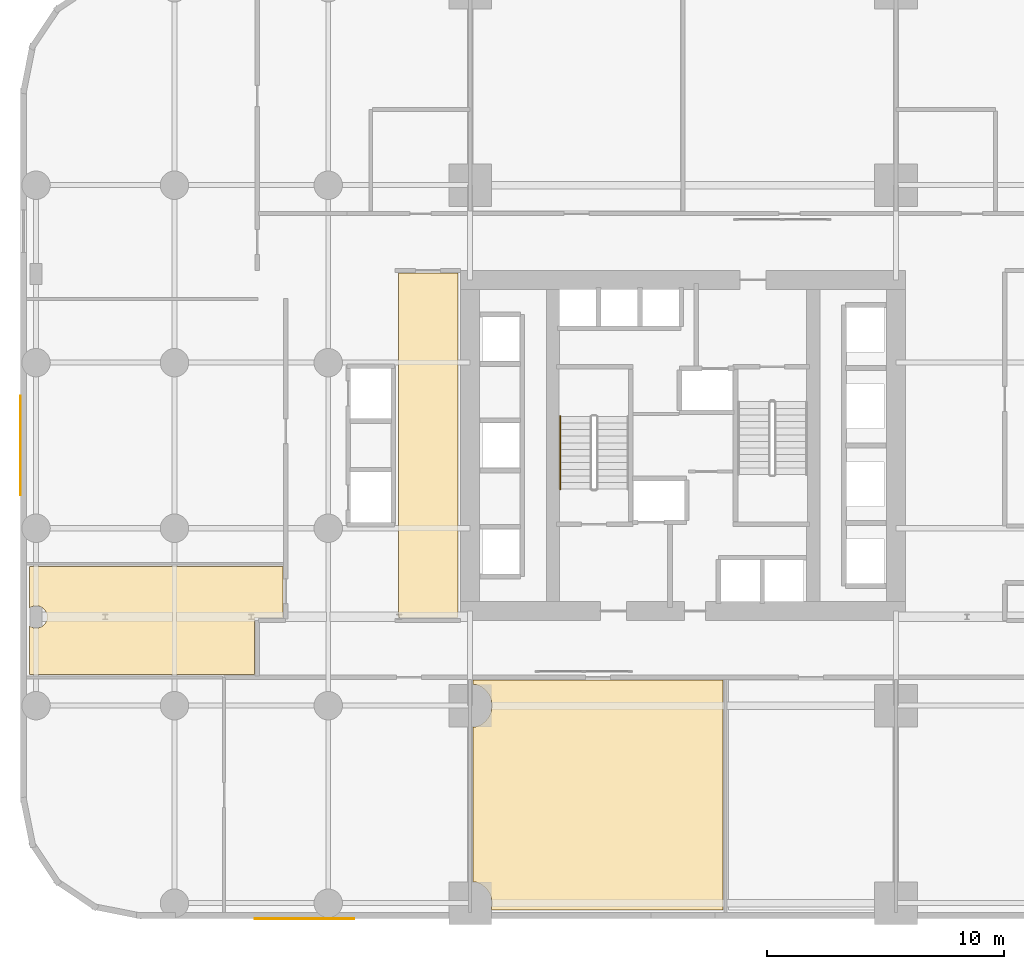
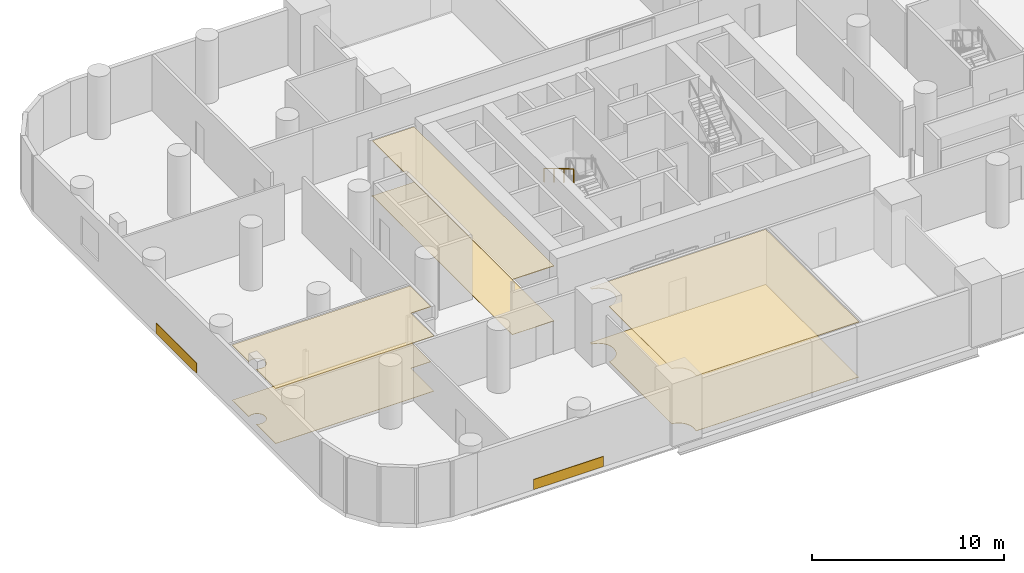
# One storey, part 12 of 15: 8 coverings, 1 railing.
"""IFC4 building model written with IfcOpenShell, lengths in metres."""

from ifc_helpers import new_model, si_unit, direction, frame, origin, origin_2d, place, context, subcontext, project, spatial, polyline, rectangle, outline, extrude, material, layer, layer_set, type_object, element, save


model = new_model("IFC4")

# Units and contexts
model_context = context("Model", 3, precision=1e-05, world=origin(), true_north=direction((0.0, 1.0)))
body_context = subcontext(model_context, "Body", "Model", "MODEL_VIEW")
ifc_project = project(units=[si_unit("LENGTHUNIT", "METRE"), si_unit("AREAUNIT", "SQUARE_METRE"), si_unit("VOLUMEUNIT", "CUBIC_METRE"), si_unit("PLANEANGLEUNIT", "RADIAN"), si_unit("MASSUNIT", "GRAM", prefix="KILO")], contexts=[model_context])

# Site, building, storey
site_placement = place(None, origin())
site = spatial("IfcSite", under=ifc_project, at=site_placement, CompositionType="ELEMENT")
building_placement = place(site_placement, origin())
building = spatial("IfcBuilding", under=site, at=building_placement, Name="Veldorim Arch Residences", CompositionType="ELEMENT")
storey_placement = place(building_placement, frame((0.0, 0.0, 16.0)))
storey = spatial("IfcBuildingStorey", under=building, at=storey_placement, Name="L04", CompositionType="ELEMENT", Elevation=16.0)

# Coverings
ifc_material_1 = material(Name="Acoustic Gypsum & Mineral Fibre", Category="gypsum")
ifc_layer_1 = layer(ifc_material_1, 0.034912109375, Name="Perforated Acoustic Mineral-Fibre Ceiling 35")
ifc_layer_set_1 = layer_set([ifc_layer_1], Name="Acoustic Gypsum & Mineral Fibre")
covering_type_1 = type_object("IfcCoveringType", Name="Perforated Acoustic Mineral-Fibre Ceiling 35", PredefinedType="CEILING", material=ifc_layer_set_1)
covering_1_placement = place(storey_placement, frame((0.0, 0.0, 3.4951171875)))
element("IfcCovering", 1, at=covering_1_placement, inside=storey, type_object=covering_type_1, Name="L04 acoustic suspended ceiling 01", PredefinedType="CEILING", context=body_context, shape_type="SweptSolid", body=[
    extrude(outline(polyline([(13.8798828125, 14.320068359375), (4.3701171875, 14.320068359375), (4.3701171875, 16.37109375), (4.41259765625, 16.338623046875), (4.527099609375, 16.291259765625), (4.64990234375, 16.27490234375), (4.77294921875, 16.291259765625), (4.887451171875, 16.338623046875), (4.98583984375, 16.4140625), (5.061279296875, 16.512451171875), (5.10888671875, 16.627197265625), (5.125, 16.75), (5.10888671875, 16.872802734375), (5.061279296875, 16.987548828125), (4.98583984375, 17.0859375), (4.887451171875, 17.161376953125), (4.77294921875, 17.208740234375), (4.64990234375, 17.22509765625), (4.527099609375, 17.208740234375), (4.41259765625, 17.161376953125), (4.3701171875, 17.12890625), (4.3701171875, 18.8798828125), (15.080078125, 18.8798828125), (15.080078125, 16.719970703125), (13.8798828125, 16.719970703125), (13.8798828125, 14.320068359375)])), origin(), (0.0, 0.0, 1.0), 0.034912109375),
])
covering_2_placement = place(storey_placement, frame((0.0, 0.0, 3.4951171875)))
element("IfcCovering", 2, at=covering_2_placement, inside=storey, type_object=covering_type_1, Name="L04 acoustic suspended ceiling 02", PredefinedType="CEILING", context=body_context, shape_type="SweptSolid", body=[
    extrude(outline(polyline([(22.47998046875, 31.280029296875), (22.47998046875, 16.719970703125), (19.969970703125, 16.719970703125), (19.969970703125, 31.280029296875), (22.47998046875, 31.280029296875)])), origin(), (0.0, 0.0, 1.0), 0.034912109375),
])
covering_3_placement = place(storey_placement, frame((0.0, 0.0, 3.4951171875)))
element("IfcCovering", 3, at=covering_3_placement, inside=storey, type_object=covering_type_1, Name="L04 acoustic suspended ceiling 04", PredefinedType="CEILING", context=body_context, shape_type="SweptSolid", body=[
    extrude(outline(polyline([(33.679931640625, 14.080078125), (33.679931640625, 4.3701171875), (23.876708984375, 4.3701171875), (23.8935546875, 4.41064453125), (23.925048828125, 4.64990234375), (23.8935546875, 4.889404296875), (23.801025390625, 5.112548828125), (23.654052734375, 5.30419921875), (23.46240234375, 5.451171875), (23.239501953125, 5.54345703125), (23.1201171875, 5.55908203125), (23.1201171875, 12.0908203125), (23.239501953125, 12.1064453125), (23.46240234375, 12.198974609375), (23.654052734375, 12.345947265625), (23.801025390625, 12.53759765625), (23.8935546875, 12.760498046875), (23.925048828125, 13.0), (23.8935546875, 13.239501953125), (23.801025390625, 13.46240234375), (23.654052734375, 13.654052734375), (23.46240234375, 13.801025390625), (23.239501953125, 13.8935546875), (23.1201171875, 13.9091796875), (23.1201171875, 14.080078125), (33.679931640625, 14.080078125)])), origin(), (0.0, 0.0, 1.0), 0.034912109375),
])
ifc_material_2 = material(Name="Porcelain Ceramic Tile", Category="ceramic")
ifc_layer_2 = layer(ifc_material_2, 0.02001953125, Name="Slip-Resistant Porcelain & Vinyl Floor Finish 20")
ifc_layer_set_2 = layer_set([ifc_layer_2], Name="Porcelain Ceramic Tile")
covering_type_2 = type_object("IfcCoveringType", Name="Slip-Resistant Porcelain & Vinyl Floor Finish 20", PredefinedType="FLOORING", material=ifc_layer_set_2)
covering_4_placement = place(storey_placement, origin())
element("IfcCovering", 4, at=covering_4_placement, inside=storey, type_object=covering_type_2, Name="L04 porcelain floor finish 01", PredefinedType="FLOORING", context=body_context, shape_type="SweptSolid", body=[
    extrude(outline(polyline([(13.8798828125, 14.320068359375), (4.3701171875, 14.320068359375), (4.3701171875, 16.37109375), (4.41259765625, 16.338623046875), (4.527099609375, 16.291259765625), (4.64990234375, 16.27490234375), (4.77294921875, 16.291259765625), (4.887451171875, 16.338623046875), (4.98583984375, 16.4140625), (5.061279296875, 16.512451171875), (5.10888671875, 16.627197265625), (5.125, 16.75), (5.10888671875, 16.872802734375), (5.061279296875, 16.987548828125), (4.98583984375, 17.0859375), (4.887451171875, 17.161376953125), (4.77294921875, 17.208740234375), (4.64990234375, 17.22509765625), (4.527099609375, 17.208740234375), (4.41259765625, 17.161376953125), (4.3701171875, 17.12890625), (4.3701171875, 18.8798828125), (15.080078125, 18.8798828125), (15.080078125, 16.719970703125), (13.8798828125, 16.719970703125), (13.8798828125, 14.320068359375)])), origin(), (0.0, 0.0, 1.0), 0.02001953125),
])
covering_5_placement = place(storey_placement, origin())
element("IfcCovering", 5, at=covering_5_placement, inside=storey, type_object=covering_type_2, Name="L04 porcelain floor finish 02", PredefinedType="FLOORING", context=body_context, shape_type="SweptSolid", body=[
    extrude(outline(polyline([(22.47998046875, 31.280029296875), (22.47998046875, 16.719970703125), (19.969970703125, 16.719970703125), (19.969970703125, 31.280029296875), (22.47998046875, 31.280029296875)])), origin(), (0.0, 0.0, 1.0), 0.02001953125),
])
covering_6_placement = place(storey_placement, origin())
element("IfcCovering", 6, at=covering_6_placement, inside=storey, type_object=covering_type_2, Name="L04 porcelain floor finish 04", PredefinedType="FLOORING", context=body_context, shape_type="SweptSolid", body=[
    extrude(outline(polyline([(33.679931640625, 14.080078125), (33.679931640625, 4.3701171875), (23.876708984375, 4.3701171875), (23.8935546875, 4.41064453125), (23.925048828125, 4.64990234375), (23.8935546875, 4.889404296875), (23.801025390625, 5.112548828125), (23.654052734375, 5.30419921875), (23.46240234375, 5.451171875), (23.239501953125, 5.54345703125), (23.1201171875, 5.55908203125), (23.1201171875, 12.0908203125), (23.239501953125, 12.1064453125), (23.46240234375, 12.198974609375), (23.654052734375, 12.345947265625), (23.801025390625, 12.53759765625), (23.8935546875, 12.760498046875), (23.925048828125, 13.0), (23.8935546875, 13.239501953125), (23.801025390625, 13.46240234375), (23.654052734375, 13.654052734375), (23.46240234375, 13.801025390625), (23.239501953125, 13.8935546875), (23.1201171875, 13.9091796875), (23.1201171875, 14.080078125), (33.679931640625, 14.080078125)])), origin(), (0.0, 0.0, 1.0), 0.02001953125),
])
ifc_material_3 = material(Name="Terracotta Ceramic", Category="masonry")
ifc_layer_3 = layer(ifc_material_3, 0.0400390625, Name="Terracotta Rainscreen Spandrel Cladding Panel")
ifc_layer_set_3 = layer_set([ifc_layer_3], Name="Terracotta Ceramic")
covering_type_3 = type_object("IfcCoveringType", Name="Terracotta Rainscreen Spandrel Cladding Panel", PredefinedType="CLADDING", material=ifc_layer_set_3)
for number, where, z_axis, x_axis, name in (
    (7, (3.989990234375, 24.0, 0.025146484375), (0.0, 0.0, 1.0), (0.0, 1.0, 0.0), "L04 terracotta rainscreen spandrel panel 1"),
    (8, (16.0, 3.989990234375, 0.025146484375), (0.0, 0.0, 1.0), (1.0, 0.0, 0.0), "L04 terracotta rainscreen spandrel panel 3"),
):
    element("IfcCovering", number, at=place(storey_placement, frame(where, z_axis=z_axis, x_axis=x_axis)), inside=storey, type_object=covering_type_3, Name=name, PredefinedType="CLADDING", context=body_context, shape_type="SweptSolid", body=[
        extrude(rectangle(XDim=4.199951171875, YDim=0.0400390625, at=origin_2d()), origin(), (0.0, 0.0, 1.0), 0.64990234375),
    ])

# Railing
ifc_material_4 = material(Name="Stainless Steel", Category="steel")
railing_type = type_object("IfcRailingType", Name="Tubular Steel Continuous Wall Handrail 900", PredefinedType="HANDRAIL", material=ifc_material_4)
railing_placement = place(storey_placement, frame((26.800048828125, 25.22998046875, 2.166748046875)))
element("IfcRailing", 9, at=railing_placement, inside=storey, type_object=railing_type, Name="L04 ST-1 stair handrail 2", PredefinedType="HANDRAIL", context=body_context, shape_type="SweptSolid", body=[
    extrude(rectangle(XDim=0.048095703125, YDim=0.048095703125, at=origin_2d()), frame((0.0, 0.0, 0.8759765625), z_axis=(0.0, -0.859308565015, 0.511457515432), x_axis=(1.0, 0.0, 0.0)), (0.0, 0.0, 1.0), 3.58447265625),
    extrude(rectangle(XDim=0.0419921875, YDim=0.0419921875, at=origin_2d()), origin(), (0.0, 0.0, 1.0), 0.851806640625),
    extrude(rectangle(XDim=0.0419921875, YDim=0.0419921875, at=origin_2d()), frame((0.0, -1.026611328125, 0.611083984375)), (0.0, 0.0, 1.0), 0.851806640625),
    extrude(rectangle(XDim=0.0419921875, YDim=0.0419921875, at=origin_2d()), frame((0.0, -2.053466796875, 1.22216796875)), (0.0, 0.0, 1.0), 0.851806640625),
    extrude(rectangle(XDim=0.0419921875, YDim=0.0419921875, at=origin_2d()), frame((0.0, -3.080078125, 1.833251953125)), (0.0, 0.0, 1.0), 0.851806640625),
])

save(model, "model.ifc")
